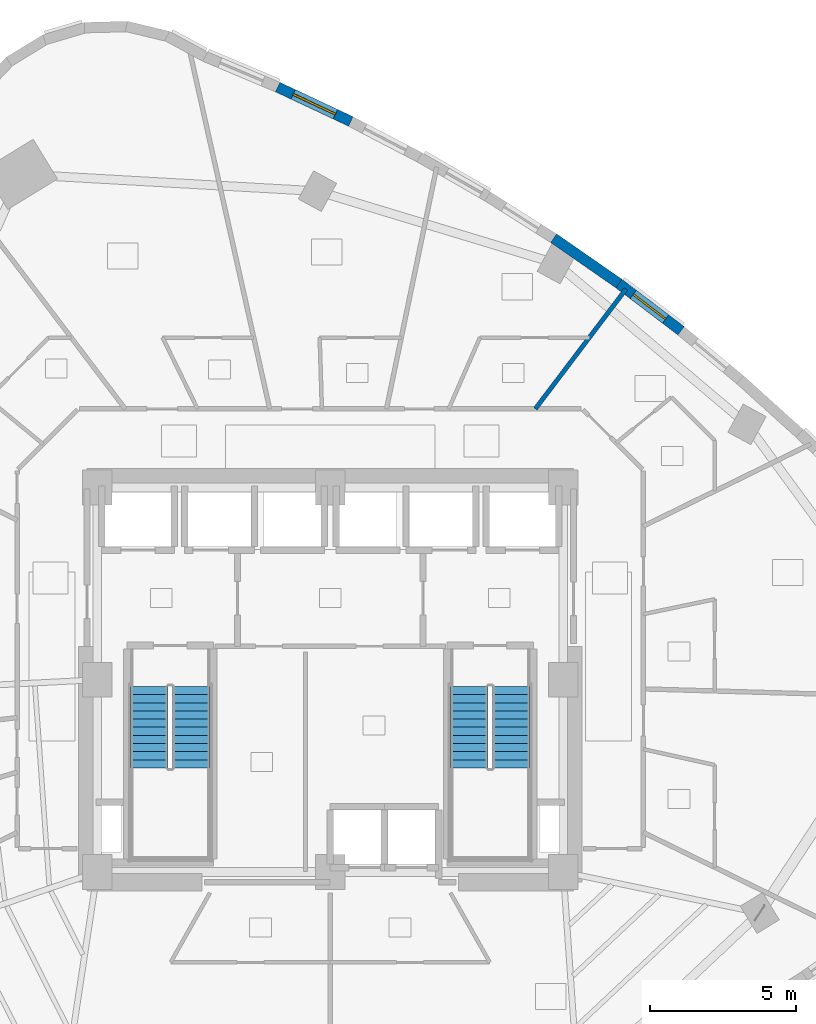
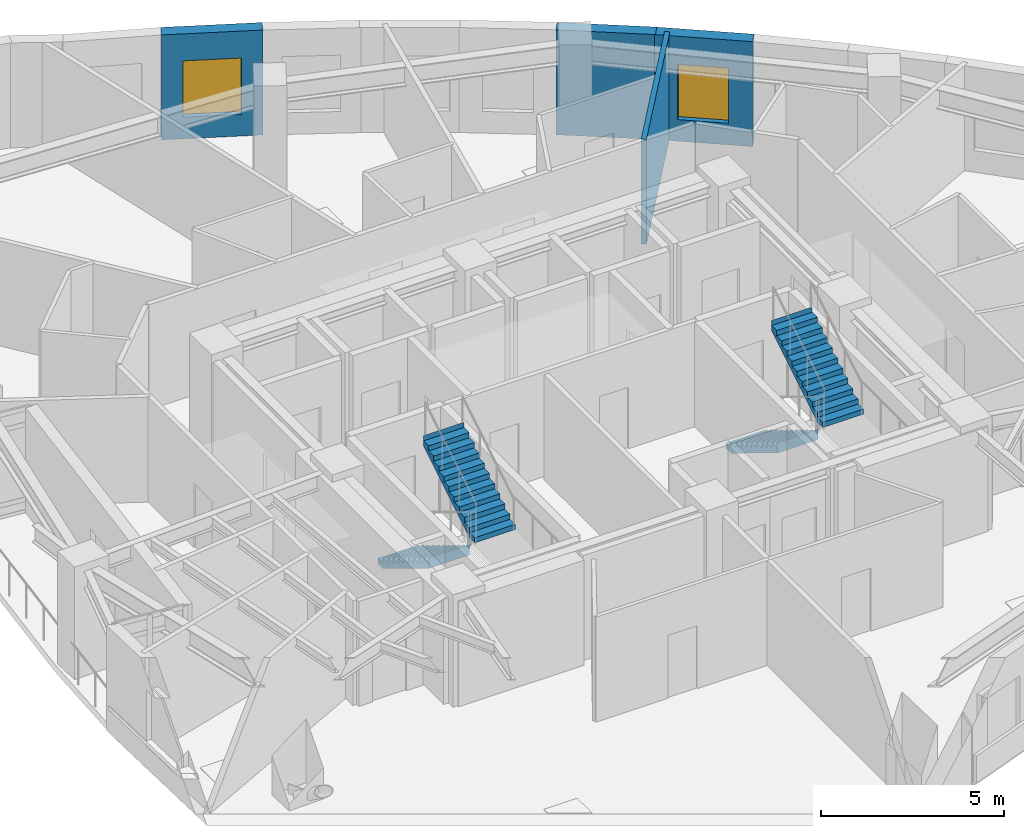
# One storey, part 13 of 16: 4 stair flights, 4 walls, 2 windows, 2 openings, 2 elements without a shape of their own.
"""IFC4 building model written with IfcOpenShell, lengths in metres."""

from ifc_helpers import new_model, si_unit, direction, frame, frame_2d, origin, place, context, subcontext, project, spatial, polyline, rectangle, outline, extrude, material, layer, layer_set, type_object, element, fill, aggregate, save


model = new_model("IFC4")

# Units and contexts
model_context = context("Model", 3, precision=1e-05, world=origin(), true_north=direction((0.0, 1.0)))
body_context = subcontext(model_context, "Body", "Model", "MODEL_VIEW")
ifc_project = project(units=[si_unit("LENGTHUNIT", "METRE"), si_unit("AREAUNIT", "SQUARE_METRE"), si_unit("VOLUMEUNIT", "CUBIC_METRE"), si_unit("PLANEANGLEUNIT", "RADIAN"), si_unit("MASSUNIT", "GRAM", prefix="KILO")], contexts=[model_context])

# Site, building, storey
site_placement = place(None, origin())
site = spatial("IfcSite", under=ifc_project, at=site_placement, CompositionType="ELEMENT")
building_placement = place(site_placement, origin())
building = spatial("IfcBuilding", under=site, at=building_placement, Name="Ndelora Gate Hotel", CompositionType="ELEMENT")
storey_placement = place(building_placement, frame((0.0, 0.0, 97.25)))
storey = spatial("IfcBuildingStorey", under=building, at=storey_placement, Name="L23", CompositionType="ELEMENT", Elevation=97.25)

# Wall, opening, window
ifc_material_1 = material(Name="Clay Brick Masonry", Category="masonry")
ifc_layer_1 = layer(ifc_material_1, 0.360107421875)
ifc_layer_set_1 = layer_set([ifc_layer_1], Name="Clay Brick Masonry")
wall_type_1 = type_object("IfcWallType", Name="WL-BRICK-360", PredefinedType="SOLIDWALL", material=ifc_layer_set_1)
wall_1_placement = place(storey_placement, frame((9.87255859375, 13.631103515625, 0.0), z_axis=(0.0, 0.0, 1.0), x_axis=(0.796336225349, -0.604854210696, 0.0)))
wall_1 = element("IfcWall", 1, at=wall_1_placement, inside=storey, type_object=wall_type_1, Name="L23 Tower Brick Pier-and-Spandrel Wall TWR-52", PredefinedType="SOLIDWALL", context=body_context, shape_type="SweptSolid", body=[
    extrude(rectangle(XDim=2.729736328125, YDim=0.360107421875, at=frame_2d((1.36474609375, 0.0))), origin(), (0.0, 0.0, 1.0), 3.5),
])
opening_1_placement = place(wall_1_placement, frame((0.664794921875, 0.0, 0.719970703125)))
opening_1 = element("IfcOpeningElement", 2, at=opening_1_placement, cuts=wall_1, Name="Opening W02", PredefinedType="OPENING", context=body_context, shape_type="SweptSolid", body=[
    extrude(rectangle(XDim=1.39990234375, YDim=1.840087890625, at=frame_2d((0.699951171875, 0.919921875))), frame((0.0, 0.18994140625, 0.0), z_axis=(0.0, -1.0, 0.0), x_axis=(1.0, 0.0, 0.0)), (0.0, 0.0, 1.0), 0.380126953125),
])
ifc_material_2 = material(Name="Insulated Low-E Double Glazing in Bronze Aluminium Frame", Category="aluminium")
window_type_1 = type_object("IfcWindowType", Name="WN-DEEP-1400", PartitioningType="SINGLE_PANEL", PredefinedType="WINDOW", material=ifc_material_2)
window_1_placement = place(opening_1_placement, origin())
window_1 = element("IfcWindow", 3, at=window_1_placement, inside=storey, type_object=window_type_1, Name="L23 Deep-Set Brick-Pier Window W02", OverallHeight=1.840087890625, OverallWidth=1.39990234375, PartitioningType="SINGLE_PANEL", PredefinedType="WINDOW", context=body_context, shape_type="SweptSolid", body=[
    extrude(rectangle(XDim=1.39990234375, YDim=1.840087890625, at=frame_2d((0.699951171875, 0.919921875))), frame((0.0, 0.030029296875, 0.0), z_axis=(0.0, -1.0, 0.0), x_axis=(1.0, 0.0, 0.0)), (0.0, 0.0, 1.0), 0.06005859375),
])
fill(opening_1, window_1)

# Wall
wall_2_placement = place(storey_placement, frame((7.671142578125, 15.15869140625, 0.0), z_axis=(0.0, 0.0, 1.0), x_axis=(0.821331552378, -0.570451120665, 0.0)))
element("IfcWall", 4, at=wall_2_placement, inside=storey, type_object=wall_type_1, Name="L23 Tower Brick Pier-and-Spandrel Wall TWR-53", PredefinedType="SOLIDWALL", context=body_context, shape_type="SweptSolid", body=[
    extrude(rectangle(XDim=2.729736328125, YDim=0.360107421875, at=frame_2d((1.36474609375, 0.0))), origin(), (0.0, 0.0, 1.0), 3.5),
])

# Wall, opening, window
wall_3_placement = place(storey_placement, frame((-1.803466796875, 20.347900390625, 0.0), z_axis=(0.0, 0.0, 1.0), x_axis=(0.905061598697, -0.425280498688, 0.0)))
wall_3 = element("IfcWall", 5, at=wall_3_placement, inside=storey, type_object=wall_type_1, Name="L23 Tower Brick Pier-and-Spandrel Wall TWR-57", PredefinedType="SOLIDWALL", context=body_context, shape_type="SweptSolid", body=[
    extrude(rectangle(XDim=2.77734375, YDim=0.360107421875, at=frame_2d((1.388671875, 0.0))), origin(), (0.0, 0.0, 1.0), 3.5),
])
opening_2_placement = place(wall_3_placement, frame((0.588623046875, 0.0, 0.719970703125)))
opening_2 = element("IfcOpeningElement", 6, at=opening_2_placement, cuts=wall_3, Name="Opening W03", PredefinedType="OPENING", context=body_context, shape_type="SweptSolid", body=[
    extrude(rectangle(XDim=1.60009765625, YDim=1.8798828125, at=frame_2d((0.800048828125, 0.93994140625))), frame((0.0, 0.18994140625, 0.0), z_axis=(0.0, -1.0, 0.0), x_axis=(1.0, 0.0, 0.0)), (0.0, 0.0, 1.0), 0.380126953125),
])
window_type_2 = type_object("IfcWindowType", Name="WN-CORN-2100", PartitioningType="SINGLE_PANEL", PredefinedType="WINDOW", material=ifc_material_2)
window_2_placement = place(opening_2_placement, origin())
window_2 = element("IfcWindow", 7, at=window_2_placement, inside=storey, type_object=window_type_2, Name="L23 Deep-Set Brick-Pier Window W03", OverallHeight=1.8798828125, OverallWidth=1.60009765625, PartitioningType="SINGLE_PANEL", PredefinedType="WINDOW", context=body_context, shape_type="SweptSolid", body=[
    extrude(rectangle(XDim=1.60009765625, YDim=1.8798828125, at=frame_2d((0.800048828125, 0.93994140625))), frame((0.0, 0.030029296875, 0.0), z_axis=(0.0, -1.0, 0.0), x_axis=(1.0, 0.0, 0.0)), (0.0, 0.0, 1.0), 0.06005859375),
])
fill(opening_2, window_2)

# Wall
ifc_material_3 = material(Name="Fire-Rated Gypsum Stud Partition", Category="gypsum")
ifc_layer_2 = layer(ifc_material_3, 0.14990234375)
ifc_layer_set_2 = layer_set([ifc_layer_2], Name="Fire-Rated Gypsum Stud Partition")
wall_type_2 = type_object("IfcWallType", Name="WL-PART-150", PredefinedType="PARTITIONING", material=ifc_layer_set_2)
wall_4_placement = place(storey_placement, frame((7.040283203125, 9.300048828125, 0.0), z_axis=(0.0, 0.0, 1.0), x_axis=(0.603580834167, 0.797301810249, 0.0)))
element("IfcWall", 8, at=wall_4_placement, inside=storey, type_object=wall_type_2, Name="L23 Interior Wall IW-5", PredefinedType="PARTITIONING", context=body_context, shape_type="SweptSolid", body=[
    extrude(rectangle(XDim=5.162109375, YDim=0.14990234375, at=frame_2d((2.5810546875, 0.0))), origin(), (0.0, 0.0, 1.0), 3.5),
])

# Stair, stair flights
ifc_material_4 = material(Name="Precast concrete C40/50", Category="concrete")
stair_type = type_object("IfcStairType", Name="STR-DOG-CORE", PredefinedType="HALF_TURN_STAIR", material=ifc_material_4)
stair_1_placement = place(storey_placement, origin())
stair_1 = element("IfcStair", 9, at=stair_1_placement, inside=storey, type_object=stair_type, Name="L23 Protected Core Exit Stair ST4", PredefinedType="HALF_TURN_STAIR")
stair_flight_type = type_object("IfcStairFlightType", Name="STF-PRECAST", PredefinedType="STRAIGHT", material=ifc_material_4)
stair_flight_1_placement = place(storey_placement, frame((-6.2099609375, -0.22998046875, 0.0), z_axis=(0.0, 0.0, 1.0), x_axis=(0.0, -1.0, 0.0)))
stair_flight_1 = element("IfcStairFlight", 10, at=stair_flight_1_placement, type_object=stair_flight_type, Name="ST4 flight 1", NumberOfRisers=11, NumberOfTreads=10, PredefinedType="STRAIGHT", RiserHeight=0.170454545, TreadLength=0.28, context=body_context, shape_type="SweptSolid", body=[
    extrude(outline(polyline([(-0.00048828125, 0.0), (-0.00048828125, 0.17041015625), (0.0, 0.17041015625), (0.280029296875, 0.17041015625), (0.280029296875, 0.3408203125), (0.56005859375, 0.3408203125), (0.56005859375, 0.511474609375), (0.840087890625, 0.511474609375), (0.840087890625, 0.681884765625), (1.1201171875, 0.681884765625), (1.1201171875, 0.852294921875), (1.39990234375, 0.852294921875), (1.39990234375, 1.022705078125), (1.679931640625, 1.022705078125), (1.679931640625, 1.193115234375), (1.9599609375, 1.193115234375), (1.9599609375, 1.363525390625), (2.239990234375, 1.363525390625), (2.239990234375, 1.5341796875), (2.52001953125, 1.5341796875), (2.52001953125, 1.70458984375), (2.800048828125, 1.70458984375), (2.800048828125, 1.875), (2.800537109375, 1.875), (2.800537109375, 1.695068359375), (2.800048828125, 1.529052734375), (0.288330078125, 0.0), (-0.00048828125, 0.0)])), frame((0.0, 0.64013671875, 0.0), z_axis=(0.0, -1.0, 0.0), x_axis=(1.0, 0.0, 0.0)), (0.0, 0.0, 1.0), 1.280029296875),
])
stair_flight_2_placement = place(storey_placement, frame((-4.77001953125, -3.030029296875, 1.875), z_axis=(0.0, 0.0, 1.0), x_axis=(0.0, 1.0, 0.0)))
stair_flight_2 = element("IfcStairFlight", 11, at=stair_flight_2_placement, type_object=stair_flight_type, Name="ST4 flight 2", NumberOfRisers=11, NumberOfTreads=10, PredefinedType="STRAIGHT", RiserHeight=0.170454545, TreadLength=0.28, context=body_context, shape_type="SweptSolid", body=[
    extrude(outline(polyline([(-0.00048828125, 0.0), (-0.00048828125, 0.17041015625), (0.0, 0.17041015625), (0.280029296875, 0.17041015625), (0.280029296875, 0.3408203125), (0.56005859375, 0.3408203125), (0.56005859375, 0.511474609375), (0.840087890625, 0.511474609375), (0.840087890625, 0.681884765625), (1.1201171875, 0.681884765625), (1.1201171875, 0.852294921875), (1.39990234375, 0.852294921875), (1.39990234375, 1.022705078125), (1.679931640625, 1.022705078125), (1.679931640625, 1.193115234375), (1.9599609375, 1.193115234375), (1.9599609375, 1.363525390625), (2.239990234375, 1.363525390625), (2.239990234375, 1.5341796875), (2.52001953125, 1.5341796875), (2.52001953125, 1.70458984375), (2.800048828125, 1.70458984375), (2.800048828125, 1.875), (2.800537109375, 1.875), (2.800537109375, 1.695068359375), (2.800048828125, 1.529052734375), (0.288330078125, 0.0), (-0.00048828125, 0.0)])), frame((0.0, 0.64013671875, 0.0), z_axis=(0.0, -1.0, 0.0), x_axis=(1.0, 0.0, 0.0)), (0.0, 0.0, 1.0), 1.280029296875),
])
aggregate(stair_1, [stair_flight_1, stair_flight_2])

stair_2_placement = place(storey_placement, origin())
stair_2 = element("IfcStair", 12, at=stair_2_placement, inside=storey, type_object=stair_type, Name="L23 Protected Core Exit Stair ST5", PredefinedType="HALF_TURN_STAIR")
stair_flight_3_placement = place(storey_placement, frame((4.77001953125, -0.22998046875, 0.0), z_axis=(0.0, 0.0, 1.0), x_axis=(0.0, -1.0, 0.0)))
stair_flight_3 = element("IfcStairFlight", 13, at=stair_flight_3_placement, type_object=stair_flight_type, Name="ST5 flight 1", NumberOfRisers=11, NumberOfTreads=10, PredefinedType="STRAIGHT", RiserHeight=0.170454545, TreadLength=0.28, context=body_context, shape_type="SweptSolid", body=[
    extrude(outline(polyline([(-0.00048828125, 0.0), (-0.00048828125, 0.17041015625), (0.0, 0.17041015625), (0.280029296875, 0.17041015625), (0.280029296875, 0.3408203125), (0.56005859375, 0.3408203125), (0.56005859375, 0.511474609375), (0.840087890625, 0.511474609375), (0.840087890625, 0.681884765625), (1.1201171875, 0.681884765625), (1.1201171875, 0.852294921875), (1.39990234375, 0.852294921875), (1.39990234375, 1.022705078125), (1.679931640625, 1.022705078125), (1.679931640625, 1.193115234375), (1.9599609375, 1.193115234375), (1.9599609375, 1.363525390625), (2.239990234375, 1.363525390625), (2.239990234375, 1.5341796875), (2.52001953125, 1.5341796875), (2.52001953125, 1.70458984375), (2.800048828125, 1.70458984375), (2.800048828125, 1.875), (2.800537109375, 1.875), (2.800537109375, 1.695068359375), (2.800048828125, 1.529052734375), (0.288330078125, 0.0), (-0.00048828125, 0.0)])), frame((0.0, 0.64013671875, 0.0), z_axis=(0.0, -1.0, 0.0), x_axis=(1.0, 0.0, 0.0)), (0.0, 0.0, 1.0), 1.280029296875),
])
stair_flight_4_placement = place(storey_placement, frame((6.2099609375, -3.030029296875, 1.875), z_axis=(0.0, 0.0, 1.0), x_axis=(0.0, 1.0, 0.0)))
stair_flight_4 = element("IfcStairFlight", 14, at=stair_flight_4_placement, type_object=stair_flight_type, Name="ST5 flight 2", NumberOfRisers=11, NumberOfTreads=10, PredefinedType="STRAIGHT", RiserHeight=0.170454545, TreadLength=0.28, context=body_context, shape_type="SweptSolid", body=[
    extrude(outline(polyline([(-0.00048828125, 0.0), (-0.00048828125, 0.17041015625), (0.0, 0.17041015625), (0.280029296875, 0.17041015625), (0.280029296875, 0.3408203125), (0.56005859375, 0.3408203125), (0.56005859375, 0.511474609375), (0.840087890625, 0.511474609375), (0.840087890625, 0.681884765625), (1.1201171875, 0.681884765625), (1.1201171875, 0.852294921875), (1.39990234375, 0.852294921875), (1.39990234375, 1.022705078125), (1.679931640625, 1.022705078125), (1.679931640625, 1.193115234375), (1.9599609375, 1.193115234375), (1.9599609375, 1.363525390625), (2.239990234375, 1.363525390625), (2.239990234375, 1.5341796875), (2.52001953125, 1.5341796875), (2.52001953125, 1.70458984375), (2.800048828125, 1.70458984375), (2.800048828125, 1.875), (2.800537109375, 1.875), (2.800537109375, 1.695068359375), (2.800048828125, 1.529052734375), (0.288330078125, 0.0), (-0.00048828125, 0.0)])), frame((0.0, 0.64013671875, 0.0), z_axis=(0.0, -1.0, 0.0), x_axis=(1.0, 0.0, 0.0)), (0.0, 0.0, 1.0), 1.280029296875),
])
aggregate(stair_2, [stair_flight_3, stair_flight_4])

save(model, "model.ifc")
